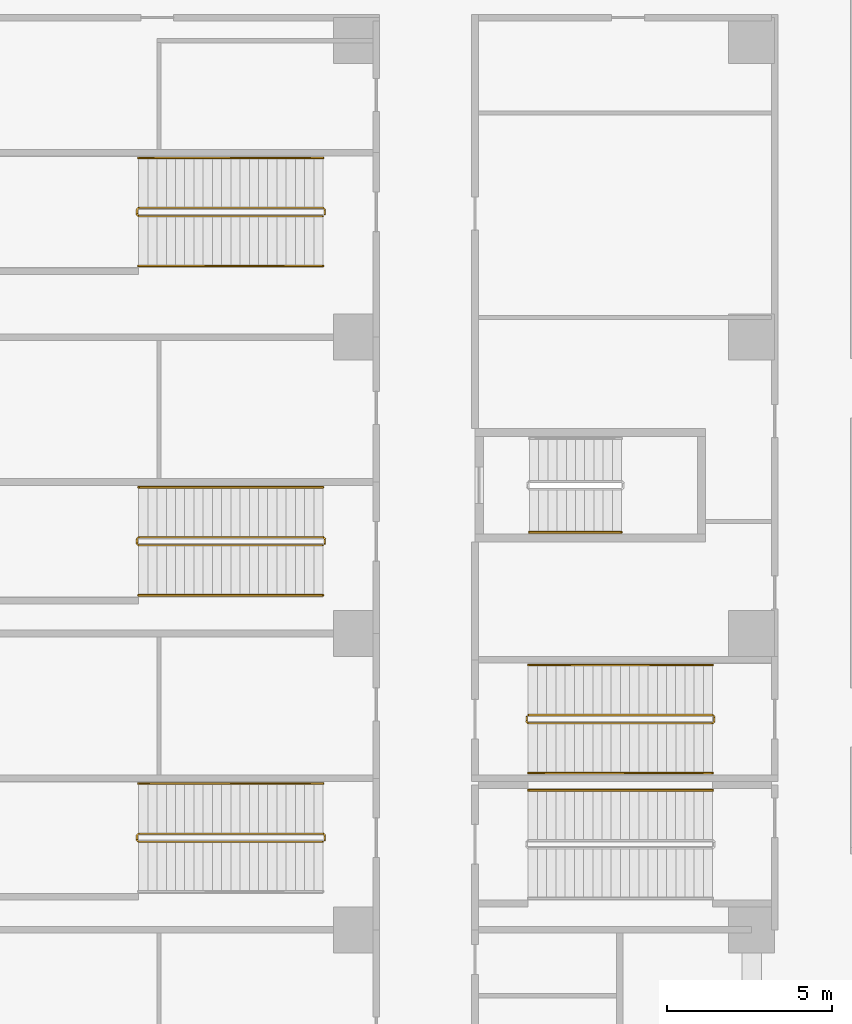
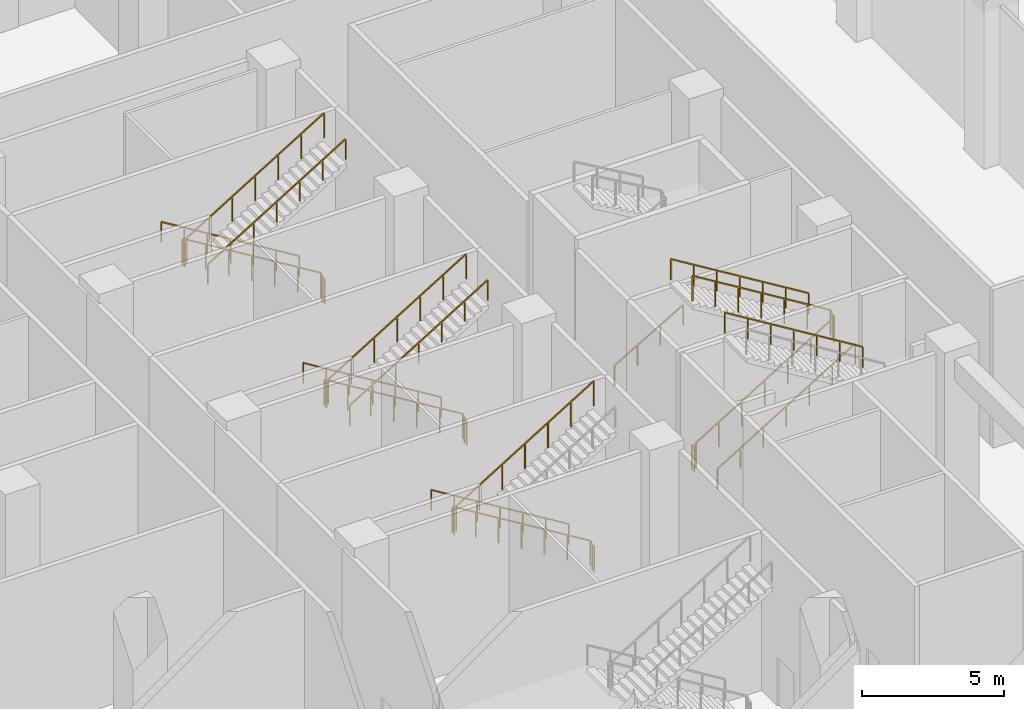
# One storey, part 32 of 34: 13 railings.
"""IFC4 building model written with IfcOpenShell, lengths in metres."""

from ifc_helpers import new_model, si_unit, direction, frame, origin, origin_2d, place, context, subcontext, project, spatial, rectangle, extrude, material, type_object, element, save


model = new_model("IFC4")

# Units and contexts
model_context = context("Model", 3, precision=1e-05, world=origin(), true_north=direction((0.0, 1.0)))
body_context = subcontext(model_context, "Body", "Model", "MODEL_VIEW")
ifc_project = project(units=[si_unit("LENGTHUNIT", "METRE"), si_unit("AREAUNIT", "SQUARE_METRE"), si_unit("VOLUMEUNIT", "CUBIC_METRE"), si_unit("PLANEANGLEUNIT", "RADIAN"), si_unit("MASSUNIT", "GRAM", prefix="KILO")], contexts=[model_context])

# Site, building, storey
site_placement = place(None, origin())
site = spatial("IfcSite", under=ifc_project, at=site_placement, CompositionType="ELEMENT")
building_placement = place(site_placement, origin())
building = spatial("IfcBuilding", under=site, at=building_placement, Name="Chenar Terraces", CompositionType="ELEMENT")
storey_placement = place(building_placement, origin())
storey = spatial("IfcBuildingStorey", under=building, at=storey_placement, Name="L00", CompositionType="ELEMENT", Elevation=0.0)

# Railings
ifc_material_1 = material(Name="Powder-coated steel", Category="steel")
railing_type_1 = type_object("IfcRailingType", Name="Stair guard 1100", PredefinedType="GUARDRAIL", material=ifc_material_1)
railing_1_placement = place(storey_placement, frame((10.985107421875, 57.675048828125, 7.199951171875)))
element("IfcRailing", 1, at=railing_1_placement, inside=storey, type_object=railing_type_1, Name="L00 PS3 stair guard 1", PredefinedType="GUARDRAIL", context=body_context, shape_type="SweptSolid", body=[
    extrude(rectangle(XDim=0.048095703125, YDim=0.048095703125, at=origin_2d()), frame((0.0, 0.0, 1.076171875), z_axis=(-0.852862454864, 0.0, -0.522135646249), x_axis=(0.0, -1.0, 0.0)), (0.0, 0.0, 1.0), 6.566162109375),
    extrude(rectangle(XDim=0.048095703125, YDim=0.048095703125, at=origin_2d()), frame((-5.60009765625, 0.0, -2.3525390625), z_axis=(-0.269911200495, 0.269911200495, -0.924281281696), x_axis=(-0.707106781187, -0.707106781187, 0.0)), (0.0, 0.0, 1.0), 0.185546875),
    extrude(rectangle(XDim=0.048095703125, YDim=0.048095703125, at=origin_2d()), frame((-5.650146484375, 0.050048828125, -2.52392578125), z_axis=(0.0, 1.0, 0.0), x_axis=(-1.0, 0.0, 0.0)), (0.0, 0.0, 1.0), 0.14990234375),
    extrude(rectangle(XDim=0.048095703125, YDim=0.048095703125, at=origin_2d()), frame((-5.650146484375, 0.199951171875, -2.52392578125), z_axis=(0.707106781187, 0.707106781187, 0.0), x_axis=(-0.707106781187, 0.707106781187, 0.0)), (0.0, 0.0, 1.0), 0.07080078125),
    extrude(rectangle(XDim=0.048095703125, YDim=0.048095703125, at=origin_2d()), frame((-5.60009765625, 0.25, -2.52392578125), z_axis=(0.852845897599, 0.0, -0.522162690116), x_axis=(0.0, 1.0, 0.0)), (0.0, 0.0, 1.0), 6.56640625),
    extrude(rectangle(XDim=0.048095703125, YDim=0.048095703125, at=origin_2d()), frame((0.0, 0.25, -5.95263671875), z_axis=(0.268689830376, -0.270006937388, -0.924609122178), x_axis=(0.708833529934, 0.705375805398, 0.0)), (0.0, 0.0, 1.0), 0.185302734375),
    extrude(rectangle(XDim=0.048095703125, YDim=0.048095703125, at=origin_2d()), frame((0.0498046875, 0.199951171875, -6.1240234375), z_axis=(0.0, -1.0, 0.0), x_axis=(1.0, 0.0, 0.0)), (0.0, 0.0, 1.0), 0.14990234375),
    extrude(rectangle(XDim=0.0419921875, YDim=0.0419921875, at=origin_2d()), origin(), (0.0, 0.0, 1.0), 1.052001953125),
    extrude(rectangle(XDim=0.0419921875, YDim=0.0419921875, at=origin_2d()), frame((-0.933349609375, 0.0, -0.5712890625)), (0.0, 0.0, 1.0), 1.052001953125),
    extrude(rectangle(XDim=0.0419921875, YDim=0.0419921875, at=origin_2d()), frame((-1.86669921875, 0.0, -1.142822265625)), (0.0, 0.0, 1.0), 1.052001953125),
    extrude(rectangle(XDim=0.0419921875, YDim=0.0419921875, at=origin_2d()), frame((-2.800048828125, 0.0, -1.71435546875)), (0.0, 0.0, 1.0), 1.052001953125),
    extrude(rectangle(XDim=0.0419921875, YDim=0.0419921875, at=origin_2d()), frame((-3.7333984375, 0.0, -2.28564453125)), (0.0, 0.0, 1.0), 1.052001953125),
    extrude(rectangle(XDim=0.0419921875, YDim=0.0419921875, at=origin_2d()), frame((-4.666748046875, 0.0, -2.85693359375)), (0.0, 0.0, 1.0), 1.052001953125),
    extrude(rectangle(XDim=0.0419921875, YDim=0.0419921875, at=origin_2d()), frame((-5.60009765625, 0.0, -3.428466796875)), (0.0, 0.0, 1.0), 1.052001953125),
    extrude(rectangle(XDim=0.0419921875, YDim=0.0419921875, at=origin_2d()), frame((-5.650146484375, 0.050048828125, -3.599853515625)), (0.0, 0.0, 1.0), 1.052001953125),
    extrude(rectangle(XDim=0.0419921875, YDim=0.0419921875, at=origin_2d()), frame((-5.650146484375, 0.199951171875, -3.599853515625)), (0.0, 0.0, 1.0), 1.052001953125),
    extrude(rectangle(XDim=0.0419921875, YDim=0.0419921875, at=origin_2d()), frame((-5.60009765625, 0.25, -3.599853515625)), (0.0, 0.0, 1.0), 1.052001953125),
    extrude(rectangle(XDim=0.0419921875, YDim=0.0419921875, at=origin_2d()), frame((-4.666748046875, 0.25, -4.17138671875)), (0.0, 0.0, 1.0), 1.052001953125),
    extrude(rectangle(XDim=0.0419921875, YDim=0.0419921875, at=origin_2d()), frame((-3.7333984375, 0.25, -4.74267578125)), (0.0, 0.0, 1.0), 1.052001953125),
    extrude(rectangle(XDim=0.0419921875, YDim=0.0419921875, at=origin_2d()), frame((-2.800048828125, 0.25, -5.314208984375)), (0.0, 0.0, 1.0), 1.052001953125),
    extrude(rectangle(XDim=0.0419921875, YDim=0.0419921875, at=origin_2d()), frame((-1.86669921875, 0.25, -5.8857421875)), (0.0, 0.0, 1.0), 1.052001953125),
    extrude(rectangle(XDim=0.0419921875, YDim=0.0419921875, at=origin_2d()), frame((-0.933349609375, 0.25, -6.45703125)), (0.0, 0.0, 1.0), 1.052001953125),
    extrude(rectangle(XDim=0.0419921875, YDim=0.0419921875, at=origin_2d()), frame((0.0, 0.25, -7.028564453125)), (0.0, 0.0, 1.0), 1.052001953125),
    extrude(rectangle(XDim=0.0419921875, YDim=0.0419921875, at=origin_2d()), frame((0.0498046875, 0.199951171875, -7.199951171875)), (0.0, 0.0, 1.0), 1.052001953125),
    extrude(rectangle(XDim=0.0419921875, YDim=0.0419921875, at=origin_2d()), frame((0.0498046875, 0.050048828125, -7.199951171875)), (0.0, 0.0, 1.0), 1.052001953125),
])
railing_2_placement = place(storey_placement, frame((10.985107421875, 47.675048828125, 7.199951171875)))
element("IfcRailing", 2, at=railing_2_placement, inside=storey, type_object=railing_type_1, Name="L00 PS4 stair guard 1", PredefinedType="GUARDRAIL", context=body_context, shape_type="SweptSolid", body=[
    extrude(rectangle(XDim=0.048095703125, YDim=0.048095703125, at=origin_2d()), frame((0.0, 0.0, 1.076171875), z_axis=(-0.852862454864, 0.0, -0.522135646249), x_axis=(0.0, -1.0, 0.0)), (0.0, 0.0, 1.0), 6.566162109375),
    extrude(rectangle(XDim=0.048095703125, YDim=0.048095703125, at=origin_2d()), frame((-5.60009765625, 0.0, -2.3525390625), z_axis=(-0.269911200495, 0.269911200495, -0.924281281696), x_axis=(-0.707106781187, -0.707106781187, 0.0)), (0.0, 0.0, 1.0), 0.185546875),
    extrude(rectangle(XDim=0.048095703125, YDim=0.048095703125, at=origin_2d()), frame((-5.650146484375, 0.050048828125, -2.52392578125), z_axis=(0.0, 1.0, 0.0), x_axis=(-1.0, 0.0, 0.0)), (0.0, 0.0, 1.0), 0.14990234375),
    extrude(rectangle(XDim=0.048095703125, YDim=0.048095703125, at=origin_2d()), frame((-5.650146484375, 0.199951171875, -2.52392578125), z_axis=(0.707106781187, 0.707106781187, 0.0), x_axis=(-0.707106781187, 0.707106781187, 0.0)), (0.0, 0.0, 1.0), 0.07080078125),
    extrude(rectangle(XDim=0.048095703125, YDim=0.048095703125, at=origin_2d()), frame((-5.60009765625, 0.25, -2.52392578125), z_axis=(0.852845897599, 0.0, -0.522162690116), x_axis=(0.0, 1.0, 0.0)), (0.0, 0.0, 1.0), 6.56640625),
    extrude(rectangle(XDim=0.048095703125, YDim=0.048095703125, at=origin_2d()), frame((0.0, 0.25, -5.95263671875), z_axis=(0.268689830376, -0.270006937388, -0.924609122178), x_axis=(0.708833529934, 0.705375805398, 0.0)), (0.0, 0.0, 1.0), 0.185302734375),
    extrude(rectangle(XDim=0.048095703125, YDim=0.048095703125, at=origin_2d()), frame((0.0498046875, 0.199951171875, -6.1240234375), z_axis=(0.0, -1.0, 0.0), x_axis=(1.0, 0.0, 0.0)), (0.0, 0.0, 1.0), 0.14990234375),
    extrude(rectangle(XDim=0.0419921875, YDim=0.0419921875, at=origin_2d()), origin(), (0.0, 0.0, 1.0), 1.052001953125),
    extrude(rectangle(XDim=0.0419921875, YDim=0.0419921875, at=origin_2d()), frame((-0.933349609375, 0.0, -0.5712890625)), (0.0, 0.0, 1.0), 1.052001953125),
    extrude(rectangle(XDim=0.0419921875, YDim=0.0419921875, at=origin_2d()), frame((-1.86669921875, 0.0, -1.142822265625)), (0.0, 0.0, 1.0), 1.052001953125),
    extrude(rectangle(XDim=0.0419921875, YDim=0.0419921875, at=origin_2d()), frame((-2.800048828125, 0.0, -1.71435546875)), (0.0, 0.0, 1.0), 1.052001953125),
    extrude(rectangle(XDim=0.0419921875, YDim=0.0419921875, at=origin_2d()), frame((-3.7333984375, 0.0, -2.28564453125)), (0.0, 0.0, 1.0), 1.052001953125),
    extrude(rectangle(XDim=0.0419921875, YDim=0.0419921875, at=origin_2d()), frame((-4.666748046875, 0.0, -2.85693359375)), (0.0, 0.0, 1.0), 1.052001953125),
    extrude(rectangle(XDim=0.0419921875, YDim=0.0419921875, at=origin_2d()), frame((-5.60009765625, 0.0, -3.428466796875)), (0.0, 0.0, 1.0), 1.052001953125),
    extrude(rectangle(XDim=0.0419921875, YDim=0.0419921875, at=origin_2d()), frame((-5.650146484375, 0.050048828125, -3.599853515625)), (0.0, 0.0, 1.0), 1.052001953125),
    extrude(rectangle(XDim=0.0419921875, YDim=0.0419921875, at=origin_2d()), frame((-5.650146484375, 0.199951171875, -3.599853515625)), (0.0, 0.0, 1.0), 1.052001953125),
    extrude(rectangle(XDim=0.0419921875, YDim=0.0419921875, at=origin_2d()), frame((-5.60009765625, 0.25, -3.599853515625)), (0.0, 0.0, 1.0), 1.052001953125),
    extrude(rectangle(XDim=0.0419921875, YDim=0.0419921875, at=origin_2d()), frame((-4.666748046875, 0.25, -4.17138671875)), (0.0, 0.0, 1.0), 1.052001953125),
    extrude(rectangle(XDim=0.0419921875, YDim=0.0419921875, at=origin_2d()), frame((-3.7333984375, 0.25, -4.74267578125)), (0.0, 0.0, 1.0), 1.052001953125),
    extrude(rectangle(XDim=0.0419921875, YDim=0.0419921875, at=origin_2d()), frame((-2.800048828125, 0.25, -5.314208984375)), (0.0, 0.0, 1.0), 1.052001953125),
    extrude(rectangle(XDim=0.0419921875, YDim=0.0419921875, at=origin_2d()), frame((-1.86669921875, 0.25, -5.8857421875)), (0.0, 0.0, 1.0), 1.052001953125),
    extrude(rectangle(XDim=0.0419921875, YDim=0.0419921875, at=origin_2d()), frame((-0.933349609375, 0.25, -6.45703125)), (0.0, 0.0, 1.0), 1.052001953125),
    extrude(rectangle(XDim=0.0419921875, YDim=0.0419921875, at=origin_2d()), frame((0.0, 0.25, -7.028564453125)), (0.0, 0.0, 1.0), 1.052001953125),
    extrude(rectangle(XDim=0.0419921875, YDim=0.0419921875, at=origin_2d()), frame((0.0498046875, 0.199951171875, -7.199951171875)), (0.0, 0.0, 1.0), 1.052001953125),
    extrude(rectangle(XDim=0.0419921875, YDim=0.0419921875, at=origin_2d()), frame((0.0498046875, 0.050048828125, -7.199951171875)), (0.0, 0.0, 1.0), 1.052001953125),
])
railing_3_placement = place(storey_placement, frame((17.215087890625, 42.52490234375, 7.199951171875)))
element("IfcRailing", 3, at=railing_3_placement, inside=storey, type_object=railing_type_1, Name="L00 PS8 stair guard 1", PredefinedType="GUARDRAIL", context=body_context, shape_type="SweptSolid", body=[
    extrude(rectangle(XDim=0.048095703125, YDim=0.048095703125, at=origin_2d()), frame((0.0, 0.0, 1.076171875), z_axis=(0.852852317832, 0.0, -0.522152203833), x_axis=(0.0, 1.0, 0.0)), (0.0, 0.0, 1.0), 6.56591796875),
    extrude(rectangle(XDim=0.048095703125, YDim=0.048095703125, at=origin_2d()), frame((5.599853515625, 0.0, -2.3525390625), z_axis=(0.270006937388, -0.268689830376, -0.924609122178), x_axis=(0.705375805398, 0.708833529934, 0.0)), (0.0, 0.0, 1.0), 0.185302734375),
    extrude(rectangle(XDim=0.048095703125, YDim=0.048095703125, at=origin_2d()), frame((5.64990234375, -0.0498046875, -2.52392578125), z_axis=(0.0, -1.0, 0.0), x_axis=(1.0, 0.0, 0.0)), (0.0, 0.0, 1.0), 0.150146484375),
    extrude(rectangle(XDim=0.048095703125, YDim=0.048095703125, at=origin_2d()), frame((5.64990234375, -0.199951171875, -2.52392578125), z_axis=(-0.707106781187, -0.707106781187, 0.0), x_axis=(0.707106781187, -0.707106781187, 0.0)), (0.0, 0.0, 1.0), 0.07080078125),
    extrude(rectangle(XDim=0.048095703125, YDim=0.048095703125, at=origin_2d()), frame((5.599853515625, -0.25, -2.52392578125), z_axis=(-0.852835759714, 0.0, -0.522179247915), x_axis=(0.0, -1.0, 0.0)), (0.0, 0.0, 1.0), 6.566162109375),
    extrude(rectangle(XDim=0.048095703125, YDim=0.048095703125, at=origin_2d()), frame((0.0, -0.25, -5.95263671875), z_axis=(-0.269911200495, 0.269911200495, -0.924281281696), x_axis=(-0.707106781187, -0.707106781187, 0.0)), (0.0, 0.0, 1.0), 0.185546875),
    extrude(rectangle(XDim=0.048095703125, YDim=0.048095703125, at=origin_2d()), frame((-0.050048828125, -0.199951171875, -6.1240234375), z_axis=(0.0, 1.0, 0.0), x_axis=(-1.0, 0.0, 0.0)), (0.0, 0.0, 1.0), 0.150146484375),
    extrude(rectangle(XDim=0.0419921875, YDim=0.0419921875, at=origin_2d()), origin(), (0.0, 0.0, 1.0), 1.052001953125),
    extrude(rectangle(XDim=0.0419921875, YDim=0.0419921875, at=origin_2d()), frame((0.933349609375, 0.0, -0.5712890625)), (0.0, 0.0, 1.0), 1.052001953125),
    extrude(rectangle(XDim=0.0419921875, YDim=0.0419921875, at=origin_2d()), frame((1.86669921875, 0.0, -1.142822265625)), (0.0, 0.0, 1.0), 1.052001953125),
    extrude(rectangle(XDim=0.0419921875, YDim=0.0419921875, at=origin_2d()), frame((2.7998046875, 0.0, -1.71435546875)), (0.0, 0.0, 1.0), 1.052001953125),
    extrude(rectangle(XDim=0.0419921875, YDim=0.0419921875, at=origin_2d()), frame((3.733154296875, 0.0, -2.28564453125)), (0.0, 0.0, 1.0), 1.052001953125),
    extrude(rectangle(XDim=0.0419921875, YDim=0.0419921875, at=origin_2d()), frame((4.66650390625, 0.0, -2.85693359375)), (0.0, 0.0, 1.0), 1.052001953125),
    extrude(rectangle(XDim=0.0419921875, YDim=0.0419921875, at=origin_2d()), frame((5.599853515625, 0.0, -3.428466796875)), (0.0, 0.0, 1.0), 1.052001953125),
    extrude(rectangle(XDim=0.0419921875, YDim=0.0419921875, at=origin_2d()), frame((5.64990234375, -0.0498046875, -3.599853515625)), (0.0, 0.0, 1.0), 1.052001953125),
    extrude(rectangle(XDim=0.0419921875, YDim=0.0419921875, at=origin_2d()), frame((5.64990234375, -0.199951171875, -3.599853515625)), (0.0, 0.0, 1.0), 1.052001953125),
    extrude(rectangle(XDim=0.0419921875, YDim=0.0419921875, at=origin_2d()), frame((5.599853515625, -0.25, -3.599853515625)), (0.0, 0.0, 1.0), 1.052001953125),
    extrude(rectangle(XDim=0.0419921875, YDim=0.0419921875, at=origin_2d()), frame((4.66650390625, -0.25, -4.17138671875)), (0.0, 0.0, 1.0), 1.052001953125),
    extrude(rectangle(XDim=0.0419921875, YDim=0.0419921875, at=origin_2d()), frame((3.733154296875, -0.25, -4.74267578125)), (0.0, 0.0, 1.0), 1.052001953125),
    extrude(rectangle(XDim=0.0419921875, YDim=0.0419921875, at=origin_2d()), frame((2.7998046875, -0.25, -5.314208984375)), (0.0, 0.0, 1.0), 1.052001953125),
    extrude(rectangle(XDim=0.0419921875, YDim=0.0419921875, at=origin_2d()), frame((1.86669921875, -0.25, -5.8857421875)), (0.0, 0.0, 1.0), 1.052001953125),
    extrude(rectangle(XDim=0.0419921875, YDim=0.0419921875, at=origin_2d()), frame((0.933349609375, -0.25, -6.45703125)), (0.0, 0.0, 1.0), 1.052001953125),
    extrude(rectangle(XDim=0.0419921875, YDim=0.0419921875, at=origin_2d()), frame((0.0, -0.25, -7.028564453125)), (0.0, 0.0, 1.0), 1.052001953125),
    extrude(rectangle(XDim=0.0419921875, YDim=0.0419921875, at=origin_2d()), frame((-0.050048828125, -0.199951171875, -7.199951171875)), (0.0, 0.0, 1.0), 1.052001953125),
    extrude(rectangle(XDim=0.0419921875, YDim=0.0419921875, at=origin_2d()), frame((-0.050048828125, -0.0498046875, -7.199951171875)), (0.0, 0.0, 1.0), 1.052001953125),
])
railing_4_placement = place(storey_placement, frame((10.985107421875, 38.675048828125, 7.199951171875)))
element("IfcRailing", 4, at=railing_4_placement, inside=storey, type_object=railing_type_1, Name="L00 PS9 stair guard 1", PredefinedType="GUARDRAIL", context=body_context, shape_type="SweptSolid", body=[
    extrude(rectangle(XDim=0.048095703125, YDim=0.048095703125, at=origin_2d()), frame((0.0, 0.0, 1.076171875), z_axis=(-0.852862454864, 0.0, -0.522135646249), x_axis=(0.0, -1.0, 0.0)), (0.0, 0.0, 1.0), 6.566162109375),
    extrude(rectangle(XDim=0.048095703125, YDim=0.048095703125, at=origin_2d()), frame((-5.60009765625, 0.0, -2.3525390625), z_axis=(-0.269911200495, 0.269911200495, -0.924281281696), x_axis=(-0.707106781187, -0.707106781187, 0.0)), (0.0, 0.0, 1.0), 0.185546875),
    extrude(rectangle(XDim=0.048095703125, YDim=0.048095703125, at=origin_2d()), frame((-5.650146484375, 0.050048828125, -2.52392578125), z_axis=(0.0, 1.0, 0.0), x_axis=(-1.0, 0.0, 0.0)), (0.0, 0.0, 1.0), 0.14990234375),
    extrude(rectangle(XDim=0.048095703125, YDim=0.048095703125, at=origin_2d()), frame((-5.650146484375, 0.199951171875, -2.52392578125), z_axis=(0.707106781187, 0.707106781187, 0.0), x_axis=(-0.707106781187, 0.707106781187, 0.0)), (0.0, 0.0, 1.0), 0.07080078125),
    extrude(rectangle(XDim=0.048095703125, YDim=0.048095703125, at=origin_2d()), frame((-5.60009765625, 0.25, -2.52392578125), z_axis=(0.852845897599, 0.0, -0.522162690116), x_axis=(0.0, 1.0, 0.0)), (0.0, 0.0, 1.0), 6.56640625),
    extrude(rectangle(XDim=0.048095703125, YDim=0.048095703125, at=origin_2d()), frame((0.0, 0.25, -5.95263671875), z_axis=(0.268689830376, -0.270006937388, -0.924609122178), x_axis=(0.708833529934, 0.705375805398, 0.0)), (0.0, 0.0, 1.0), 0.185302734375),
    extrude(rectangle(XDim=0.048095703125, YDim=0.048095703125, at=origin_2d()), frame((0.0498046875, 0.199951171875, -6.1240234375), z_axis=(0.0, -1.0, 0.0), x_axis=(1.0, 0.0, 0.0)), (0.0, 0.0, 1.0), 0.14990234375),
    extrude(rectangle(XDim=0.0419921875, YDim=0.0419921875, at=origin_2d()), origin(), (0.0, 0.0, 1.0), 1.052001953125),
    extrude(rectangle(XDim=0.0419921875, YDim=0.0419921875, at=origin_2d()), frame((-0.933349609375, 0.0, -0.5712890625)), (0.0, 0.0, 1.0), 1.052001953125),
    extrude(rectangle(XDim=0.0419921875, YDim=0.0419921875, at=origin_2d()), frame((-1.86669921875, 0.0, -1.142822265625)), (0.0, 0.0, 1.0), 1.052001953125),
    extrude(rectangle(XDim=0.0419921875, YDim=0.0419921875, at=origin_2d()), frame((-2.800048828125, 0.0, -1.71435546875)), (0.0, 0.0, 1.0), 1.052001953125),
    extrude(rectangle(XDim=0.0419921875, YDim=0.0419921875, at=origin_2d()), frame((-3.7333984375, 0.0, -2.28564453125)), (0.0, 0.0, 1.0), 1.052001953125),
    extrude(rectangle(XDim=0.0419921875, YDim=0.0419921875, at=origin_2d()), frame((-4.666748046875, 0.0, -2.85693359375)), (0.0, 0.0, 1.0), 1.052001953125),
    extrude(rectangle(XDim=0.0419921875, YDim=0.0419921875, at=origin_2d()), frame((-5.60009765625, 0.0, -3.428466796875)), (0.0, 0.0, 1.0), 1.052001953125),
    extrude(rectangle(XDim=0.0419921875, YDim=0.0419921875, at=origin_2d()), frame((-5.650146484375, 0.050048828125, -3.599853515625)), (0.0, 0.0, 1.0), 1.052001953125),
    extrude(rectangle(XDim=0.0419921875, YDim=0.0419921875, at=origin_2d()), frame((-5.650146484375, 0.199951171875, -3.599853515625)), (0.0, 0.0, 1.0), 1.052001953125),
    extrude(rectangle(XDim=0.0419921875, YDim=0.0419921875, at=origin_2d()), frame((-5.60009765625, 0.25, -3.599853515625)), (0.0, 0.0, 1.0), 1.052001953125),
    extrude(rectangle(XDim=0.0419921875, YDim=0.0419921875, at=origin_2d()), frame((-4.666748046875, 0.25, -4.17138671875)), (0.0, 0.0, 1.0), 1.052001953125),
    extrude(rectangle(XDim=0.0419921875, YDim=0.0419921875, at=origin_2d()), frame((-3.7333984375, 0.25, -4.74267578125)), (0.0, 0.0, 1.0), 1.052001953125),
    extrude(rectangle(XDim=0.0419921875, YDim=0.0419921875, at=origin_2d()), frame((-2.800048828125, 0.25, -5.314208984375)), (0.0, 0.0, 1.0), 1.052001953125),
    extrude(rectangle(XDim=0.0419921875, YDim=0.0419921875, at=origin_2d()), frame((-1.86669921875, 0.25, -5.8857421875)), (0.0, 0.0, 1.0), 1.052001953125),
    extrude(rectangle(XDim=0.0419921875, YDim=0.0419921875, at=origin_2d()), frame((-0.933349609375, 0.25, -6.45703125)), (0.0, 0.0, 1.0), 1.052001953125),
    extrude(rectangle(XDim=0.0419921875, YDim=0.0419921875, at=origin_2d()), frame((0.0, 0.25, -7.028564453125)), (0.0, 0.0, 1.0), 1.052001953125),
    extrude(rectangle(XDim=0.0419921875, YDim=0.0419921875, at=origin_2d()), frame((0.0498046875, 0.199951171875, -7.199951171875)), (0.0, 0.0, 1.0), 1.052001953125),
    extrude(rectangle(XDim=0.0419921875, YDim=0.0419921875, at=origin_2d()), frame((0.0498046875, 0.050048828125, -7.199951171875)), (0.0, 0.0, 1.0), 1.052001953125),
])
ifc_material_2 = material(Name="Powder-coated steel", Category="steel")
railing_type_2 = type_object("IfcRailingType", Name="Stair handrail 900", PredefinedType="HANDRAIL", material=ifc_material_2)
railing_5_placement = place(storey_placement, frame((17.25, 48.074951171875, 0.16357421875)))
element("IfcRailing", 5, at=railing_5_placement, inside=storey, type_object=railing_type_2, Name="L00 ST4 stair handrail 1", PredefinedType="HANDRAIL", context=body_context, shape_type="SweptSolid", body=[
    extrude(rectangle(XDim=0.048095703125, YDim=0.048095703125, at=origin_2d()), frame((0.0, 0.0, 0.8759765625), z_axis=(0.863360870873, 0.0, 0.504586966384), x_axis=(0.0, 1.0, 0.0)), (0.0, 0.0, 1.0), 3.2431640625),
    extrude(rectangle(XDim=0.0419921875, YDim=0.0419921875, at=origin_2d()), origin(), (0.0, 0.0, 1.0), 0.851806640625),
    extrude(rectangle(XDim=0.0419921875, YDim=0.0419921875, at=origin_2d()), frame((0.933349609375, 0.0, 0.54541015625)), (0.0, 0.0, 1.0), 0.851806640625),
    extrude(rectangle(XDim=0.0419921875, YDim=0.0419921875, at=origin_2d()), frame((1.86669921875, 0.0, 1.091064453125)), (0.0, 0.0, 1.0), 0.851806640625),
    extrude(rectangle(XDim=0.0419921875, YDim=0.0419921875, at=origin_2d()), frame((2.800048828125, 0.0, 1.636474609375)), (0.0, 0.0, 1.0), 0.851806640625),
])
railing_6_placement = place(storey_placement, frame((10.985107421875, 59.43994140625, 0.17138671875)))
element("IfcRailing", 6, at=railing_6_placement, inside=storey, type_object=railing_type_2, Name="L00 PS3 stair handrail 1", PredefinedType="HANDRAIL", context=body_context, shape_type="SweptSolid", body=[
    extrude(rectangle(XDim=0.048095703125, YDim=0.048095703125, at=origin_2d()), frame((0.0, 0.0, 0.8759765625), z_axis=(-0.852845897599, 0.0, 0.522162690116), x_axis=(0.0, -1.0, 0.0)), (0.0, 0.0, 1.0), 6.56640625),
    extrude(rectangle(XDim=0.0419921875, YDim=0.0419921875, at=origin_2d()), origin(), (0.0, 0.0, 1.0), 0.851806640625),
    extrude(rectangle(XDim=0.0419921875, YDim=0.0419921875, at=origin_2d()), frame((-0.933349609375, 0.0, 0.571533203125)), (0.0, 0.0, 1.0), 0.851806640625),
    extrude(rectangle(XDim=0.0419921875, YDim=0.0419921875, at=origin_2d()), frame((-1.86669921875, 0.0, 1.142822265625)), (0.0, 0.0, 1.0), 0.851806640625),
    extrude(rectangle(XDim=0.0419921875, YDim=0.0419921875, at=origin_2d()), frame((-2.800048828125, 0.0, 1.71435546875)), (0.0, 0.0, 1.0), 0.851806640625),
    extrude(rectangle(XDim=0.0419921875, YDim=0.0419921875, at=origin_2d()), frame((-3.7333984375, 0.0, 2.285888671875)), (0.0, 0.0, 1.0), 0.851806640625),
    extrude(rectangle(XDim=0.0419921875, YDim=0.0419921875, at=origin_2d()), frame((-4.666748046875, 0.0, 2.857177734375)), (0.0, 0.0, 1.0), 0.851806640625),
    extrude(rectangle(XDim=0.0419921875, YDim=0.0419921875, at=origin_2d()), frame((-5.60009765625, 0.0, 3.4287109375)), (0.0, 0.0, 1.0), 0.851806640625),
])
railing_7_placement = place(storey_placement, frame((5.385009765625, 56.159912109375, 3.771484375)))
element("IfcRailing", 7, at=railing_7_placement, inside=storey, type_object=railing_type_2, Name="L00 PS3 stair handrail 2", PredefinedType="HANDRAIL", context=body_context, shape_type="SweptSolid", body=[
    extrude(rectangle(XDim=0.048095703125, YDim=0.048095703125, at=origin_2d()), frame((0.0, 0.0, 0.8759765625), z_axis=(0.852862454864, 0.0, 0.522135646249), x_axis=(0.0, 1.0, 0.0)), (0.0, 0.0, 1.0), 6.566162109375),
    extrude(rectangle(XDim=0.0419921875, YDim=0.0419921875, at=origin_2d()), origin(), (0.0, 0.0, 1.0), 0.851806640625),
    extrude(rectangle(XDim=0.0419921875, YDim=0.0419921875, at=origin_2d()), frame((0.933349609375, 0.0, 0.5712890625)), (0.0, 0.0, 1.0), 0.851806640625),
    extrude(rectangle(XDim=0.0419921875, YDim=0.0419921875, at=origin_2d()), frame((1.86669921875, 0.0, 1.142822265625)), (0.0, 0.0, 1.0), 0.851806640625),
    extrude(rectangle(XDim=0.0419921875, YDim=0.0419921875, at=origin_2d()), frame((2.800048828125, 0.0, 1.71435546875)), (0.0, 0.0, 1.0), 0.851806640625),
    extrude(rectangle(XDim=0.0419921875, YDim=0.0419921875, at=origin_2d()), frame((3.7333984375, 0.0, 2.28564453125)), (0.0, 0.0, 1.0), 0.851806640625),
    extrude(rectangle(XDim=0.0419921875, YDim=0.0419921875, at=origin_2d()), frame((4.666748046875, 0.0, 2.85693359375)), (0.0, 0.0, 1.0), 0.851806640625),
    extrude(rectangle(XDim=0.0419921875, YDim=0.0419921875, at=origin_2d()), frame((5.60009765625, 0.0, 3.428466796875)), (0.0, 0.0, 1.0), 0.851806640625),
])
railing_8_placement = place(storey_placement, frame((10.985107421875, 49.43994140625, 0.17138671875)))
element("IfcRailing", 8, at=railing_8_placement, inside=storey, type_object=railing_type_2, Name="L00 PS4 stair handrail 1", PredefinedType="HANDRAIL", context=body_context, shape_type="SweptSolid", body=[
    extrude(rectangle(XDim=0.048095703125, YDim=0.048095703125, at=origin_2d()), frame((0.0, 0.0, 0.8759765625), z_axis=(-0.852845897599, 0.0, 0.522162690116), x_axis=(0.0, -1.0, 0.0)), (0.0, 0.0, 1.0), 6.56640625),
    extrude(rectangle(XDim=0.0419921875, YDim=0.0419921875, at=origin_2d()), origin(), (0.0, 0.0, 1.0), 0.851806640625),
    extrude(rectangle(XDim=0.0419921875, YDim=0.0419921875, at=origin_2d()), frame((-0.933349609375, 0.0, 0.571533203125)), (0.0, 0.0, 1.0), 0.851806640625),
    extrude(rectangle(XDim=0.0419921875, YDim=0.0419921875, at=origin_2d()), frame((-1.86669921875, 0.0, 1.142822265625)), (0.0, 0.0, 1.0), 0.851806640625),
    extrude(rectangle(XDim=0.0419921875, YDim=0.0419921875, at=origin_2d()), frame((-2.800048828125, 0.0, 1.71435546875)), (0.0, 0.0, 1.0), 0.851806640625),
    extrude(rectangle(XDim=0.0419921875, YDim=0.0419921875, at=origin_2d()), frame((-3.7333984375, 0.0, 2.285888671875)), (0.0, 0.0, 1.0), 0.851806640625),
    extrude(rectangle(XDim=0.0419921875, YDim=0.0419921875, at=origin_2d()), frame((-4.666748046875, 0.0, 2.857177734375)), (0.0, 0.0, 1.0), 0.851806640625),
    extrude(rectangle(XDim=0.0419921875, YDim=0.0419921875, at=origin_2d()), frame((-5.60009765625, 0.0, 3.4287109375)), (0.0, 0.0, 1.0), 0.851806640625),
])
railing_9_placement = place(storey_placement, frame((5.385009765625, 46.159912109375, 3.771484375)))
element("IfcRailing", 9, at=railing_9_placement, inside=storey, type_object=railing_type_2, Name="L00 PS4 stair handrail 2", PredefinedType="HANDRAIL", context=body_context, shape_type="SweptSolid", body=[
    extrude(rectangle(XDim=0.048095703125, YDim=0.048095703125, at=origin_2d()), frame((0.0, 0.0, 0.8759765625), z_axis=(0.852862454864, 0.0, 0.522135646249), x_axis=(0.0, 1.0, 0.0)), (0.0, 0.0, 1.0), 6.566162109375),
    extrude(rectangle(XDim=0.0419921875, YDim=0.0419921875, at=origin_2d()), origin(), (0.0, 0.0, 1.0), 0.851806640625),
    extrude(rectangle(XDim=0.0419921875, YDim=0.0419921875, at=origin_2d()), frame((0.933349609375, 0.0, 0.5712890625)), (0.0, 0.0, 1.0), 0.851806640625),
    extrude(rectangle(XDim=0.0419921875, YDim=0.0419921875, at=origin_2d()), frame((1.86669921875, 0.0, 1.142822265625)), (0.0, 0.0, 1.0), 0.851806640625),
    extrude(rectangle(XDim=0.0419921875, YDim=0.0419921875, at=origin_2d()), frame((2.800048828125, 0.0, 1.71435546875)), (0.0, 0.0, 1.0), 0.851806640625),
    extrude(rectangle(XDim=0.0419921875, YDim=0.0419921875, at=origin_2d()), frame((3.7333984375, 0.0, 2.28564453125)), (0.0, 0.0, 1.0), 0.851806640625),
    extrude(rectangle(XDim=0.0419921875, YDim=0.0419921875, at=origin_2d()), frame((4.666748046875, 0.0, 2.85693359375)), (0.0, 0.0, 1.0), 0.851806640625),
    extrude(rectangle(XDim=0.0419921875, YDim=0.0419921875, at=origin_2d()), frame((5.60009765625, 0.0, 3.428466796875)), (0.0, 0.0, 1.0), 0.851806640625),
])
railing_10_placement = place(storey_placement, frame((22.81494140625, 40.239990234375, 3.771484375)))
element("IfcRailing", 10, at=railing_10_placement, inside=storey, type_object=railing_type_2, Name="L00 PS7 stair handrail 2", PredefinedType="HANDRAIL", context=body_context, shape_type="SweptSolid", body=[
    extrude(rectangle(XDim=0.048095703125, YDim=0.048095703125, at=origin_2d()), frame((0.0, 0.0, 0.8759765625), z_axis=(-0.852852317832, 0.0, 0.522152203833), x_axis=(0.0, -1.0, 0.0)), (0.0, 0.0, 1.0), 6.56591796875),
    extrude(rectangle(XDim=0.0419921875, YDim=0.0419921875, at=origin_2d()), origin(), (0.0, 0.0, 1.0), 0.851806640625),
    extrude(rectangle(XDim=0.0419921875, YDim=0.0419921875, at=origin_2d()), frame((-0.933349609375, 0.0, 0.5712890625)), (0.0, 0.0, 1.0), 0.851806640625),
    extrude(rectangle(XDim=0.0419921875, YDim=0.0419921875, at=origin_2d()), frame((-1.86669921875, 0.0, 1.142822265625)), (0.0, 0.0, 1.0), 0.851806640625),
    extrude(rectangle(XDim=0.0419921875, YDim=0.0419921875, at=origin_2d()), frame((-2.7998046875, 0.0, 1.71435546875)), (0.0, 0.0, 1.0), 0.851806640625),
    extrude(rectangle(XDim=0.0419921875, YDim=0.0419921875, at=origin_2d()), frame((-3.733154296875, 0.0, 2.28564453125)), (0.0, 0.0, 1.0), 0.851806640625),
    extrude(rectangle(XDim=0.0419921875, YDim=0.0419921875, at=origin_2d()), frame((-4.66650390625, 0.0, 2.85693359375)), (0.0, 0.0, 1.0), 0.851806640625),
    extrude(rectangle(XDim=0.0419921875, YDim=0.0419921875, at=origin_2d()), frame((-5.599853515625, 0.0, 3.428466796875)), (0.0, 0.0, 1.0), 0.851806640625),
])
railing_11_placement = place(storey_placement, frame((17.215087890625, 40.760009765625, 0.17138671875)))
element("IfcRailing", 11, at=railing_11_placement, inside=storey, type_object=railing_type_2, Name="L00 PS8 stair handrail 1", PredefinedType="HANDRAIL", context=body_context, shape_type="SweptSolid", body=[
    extrude(rectangle(XDim=0.048095703125, YDim=0.048095703125, at=origin_2d()), frame((0.0, 0.0, 0.8759765625), z_axis=(0.852835759714, 0.0, 0.522179247915), x_axis=(0.0, 1.0, 0.0)), (0.0, 0.0, 1.0), 6.566162109375),
    extrude(rectangle(XDim=0.0419921875, YDim=0.0419921875, at=origin_2d()), origin(), (0.0, 0.0, 1.0), 0.851806640625),
    extrude(rectangle(XDim=0.0419921875, YDim=0.0419921875, at=origin_2d()), frame((0.933349609375, 0.0, 0.571533203125)), (0.0, 0.0, 1.0), 0.851806640625),
    extrude(rectangle(XDim=0.0419921875, YDim=0.0419921875, at=origin_2d()), frame((1.86669921875, 0.0, 1.142822265625)), (0.0, 0.0, 1.0), 0.851806640625),
    extrude(rectangle(XDim=0.0419921875, YDim=0.0419921875, at=origin_2d()), frame((2.7998046875, 0.0, 1.71435546875)), (0.0, 0.0, 1.0), 0.851806640625),
    extrude(rectangle(XDim=0.0419921875, YDim=0.0419921875, at=origin_2d()), frame((3.733154296875, 0.0, 2.285888671875)), (0.0, 0.0, 1.0), 0.851806640625),
    extrude(rectangle(XDim=0.0419921875, YDim=0.0419921875, at=origin_2d()), frame((4.66650390625, 0.0, 2.857177734375)), (0.0, 0.0, 1.0), 0.851806640625),
    extrude(rectangle(XDim=0.0419921875, YDim=0.0419921875, at=origin_2d()), frame((5.599853515625, 0.0, 3.4287109375)), (0.0, 0.0, 1.0), 0.851806640625),
])
railing_12_placement = place(storey_placement, frame((22.81494140625, 44.0400390625, 3.771484375)))
element("IfcRailing", 12, at=railing_12_placement, inside=storey, type_object=railing_type_2, Name="L00 PS8 stair handrail 2", PredefinedType="HANDRAIL", context=body_context, shape_type="SweptSolid", body=[
    extrude(rectangle(XDim=0.048095703125, YDim=0.048095703125, at=origin_2d()), frame((0.0, 0.0, 0.8759765625), z_axis=(-0.852852317832, 0.0, 0.522152203833), x_axis=(0.0, -1.0, 0.0)), (0.0, 0.0, 1.0), 6.56591796875),
    extrude(rectangle(XDim=0.0419921875, YDim=0.0419921875, at=origin_2d()), origin(), (0.0, 0.0, 1.0), 0.851806640625),
    extrude(rectangle(XDim=0.0419921875, YDim=0.0419921875, at=origin_2d()), frame((-0.933349609375, 0.0, 0.5712890625)), (0.0, 0.0, 1.0), 0.851806640625),
    extrude(rectangle(XDim=0.0419921875, YDim=0.0419921875, at=origin_2d()), frame((-1.86669921875, 0.0, 1.142822265625)), (0.0, 0.0, 1.0), 0.851806640625),
    extrude(rectangle(XDim=0.0419921875, YDim=0.0419921875, at=origin_2d()), frame((-2.7998046875, 0.0, 1.71435546875)), (0.0, 0.0, 1.0), 0.851806640625),
    extrude(rectangle(XDim=0.0419921875, YDim=0.0419921875, at=origin_2d()), frame((-3.733154296875, 0.0, 2.28564453125)), (0.0, 0.0, 1.0), 0.851806640625),
    extrude(rectangle(XDim=0.0419921875, YDim=0.0419921875, at=origin_2d()), frame((-4.66650390625, 0.0, 2.85693359375)), (0.0, 0.0, 1.0), 0.851806640625),
    extrude(rectangle(XDim=0.0419921875, YDim=0.0419921875, at=origin_2d()), frame((-5.599853515625, 0.0, 3.428466796875)), (0.0, 0.0, 1.0), 0.851806640625),
])
railing_13_placement = place(storey_placement, frame((10.985107421875, 40.43994140625, 0.17138671875)))
element("IfcRailing", 13, at=railing_13_placement, inside=storey, type_object=railing_type_2, Name="L00 PS9 stair handrail 1", PredefinedType="HANDRAIL", context=body_context, shape_type="SweptSolid", body=[
    extrude(rectangle(XDim=0.048095703125, YDim=0.048095703125, at=origin_2d()), frame((0.0, 0.0, 0.8759765625), z_axis=(-0.852845897599, 0.0, 0.522162690116), x_axis=(0.0, -1.0, 0.0)), (0.0, 0.0, 1.0), 6.56640625),
    extrude(rectangle(XDim=0.0419921875, YDim=0.0419921875, at=origin_2d()), origin(), (0.0, 0.0, 1.0), 0.851806640625),
    extrude(rectangle(XDim=0.0419921875, YDim=0.0419921875, at=origin_2d()), frame((-0.933349609375, 0.0, 0.571533203125)), (0.0, 0.0, 1.0), 0.851806640625),
    extrude(rectangle(XDim=0.0419921875, YDim=0.0419921875, at=origin_2d()), frame((-1.86669921875, 0.0, 1.142822265625)), (0.0, 0.0, 1.0), 0.851806640625),
    extrude(rectangle(XDim=0.0419921875, YDim=0.0419921875, at=origin_2d()), frame((-2.800048828125, 0.0, 1.71435546875)), (0.0, 0.0, 1.0), 0.851806640625),
    extrude(rectangle(XDim=0.0419921875, YDim=0.0419921875, at=origin_2d()), frame((-3.7333984375, 0.0, 2.285888671875)), (0.0, 0.0, 1.0), 0.851806640625),
    extrude(rectangle(XDim=0.0419921875, YDim=0.0419921875, at=origin_2d()), frame((-4.666748046875, 0.0, 2.857177734375)), (0.0, 0.0, 1.0), 0.851806640625),
    extrude(rectangle(XDim=0.0419921875, YDim=0.0419921875, at=origin_2d()), frame((-5.60009765625, 0.0, 3.4287109375)), (0.0, 0.0, 1.0), 0.851806640625),
])

save(model, "model.ifc")
